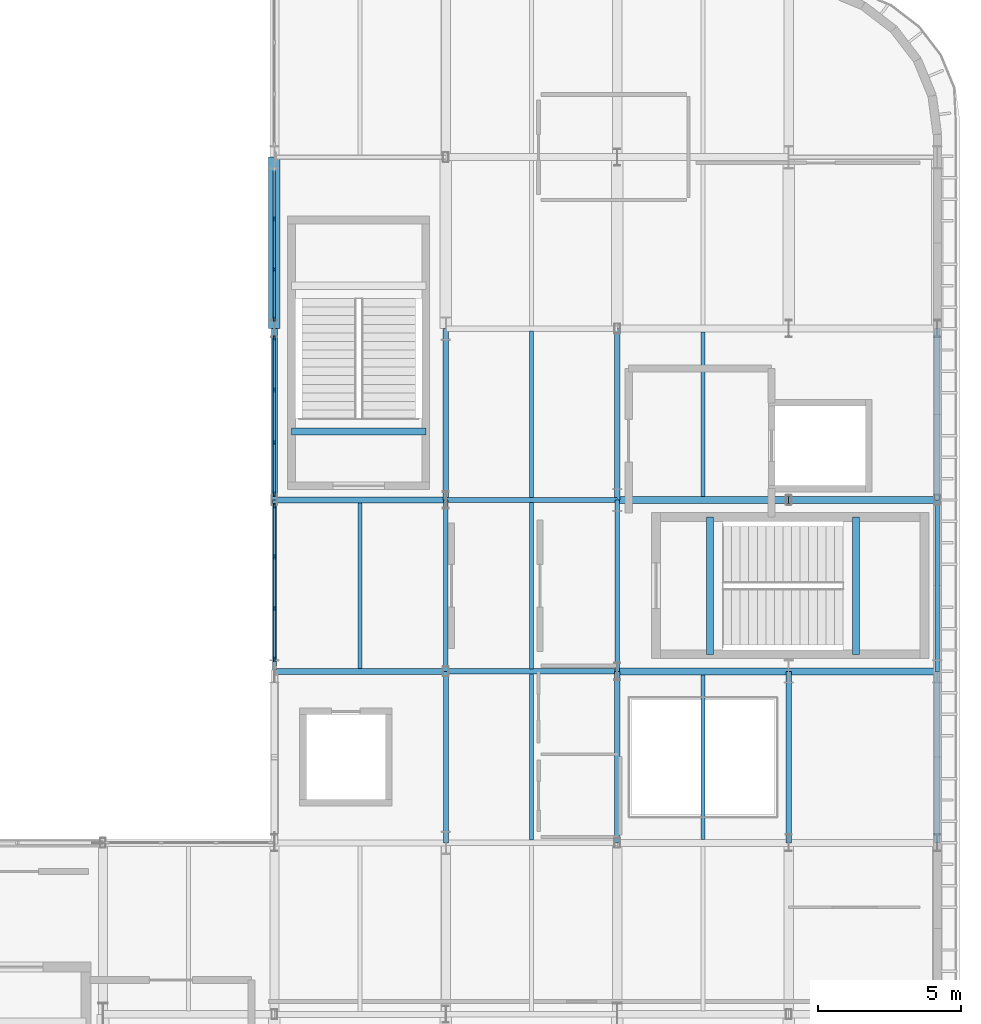
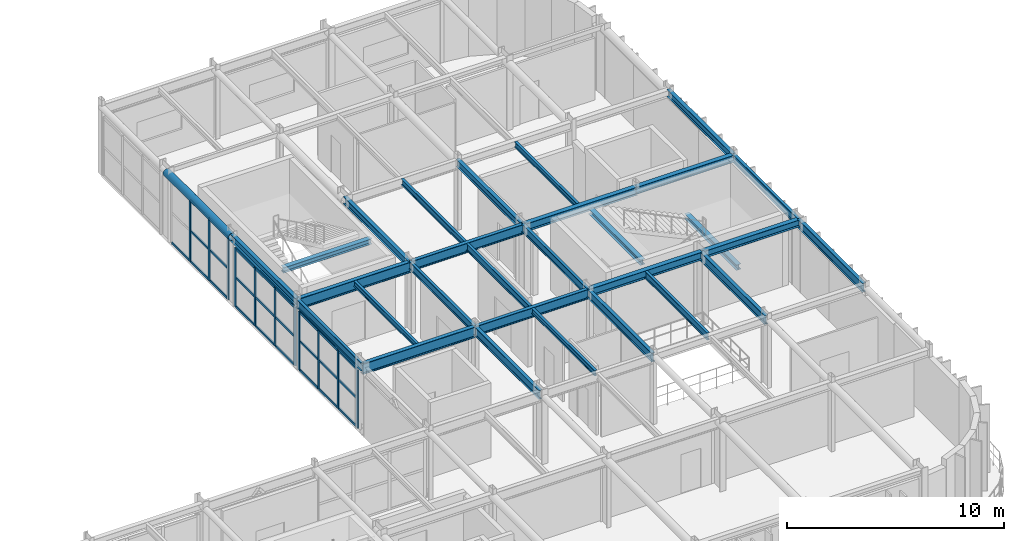
# One storey, part 73 of 116: 36 members, 30 beams, 3 elements without a shape of their own.
"""IFC4 building model written with IfcOpenShell, lengths in metres."""

from ifc_helpers import new_model, si_unit, direction, frame, origin, origin_2d, place, context, subcontext, project, spatial, rectangle, hollow_circle, i_section, extrude, material, material_profile, profile_set, type_object, element, aggregate, save


model = new_model("IFC4")

# Units and contexts
model_context = context("Model", 3, precision=1e-05, world=origin(), true_north=direction((0.0, 1.0)))
body_context = subcontext(model_context, "Body", "Model", "MODEL_VIEW")
ifc_project = project(units=[si_unit("LENGTHUNIT", "METRE"), si_unit("AREAUNIT", "SQUARE_METRE"), si_unit("VOLUMEUNIT", "CUBIC_METRE"), si_unit("PLANEANGLEUNIT", "RADIAN"), si_unit("MASSUNIT", "GRAM", prefix="KILO")], contexts=[model_context])

# Site, building, storey
site_placement = place(None, origin())
site = spatial("IfcSite", under=ifc_project, at=site_placement, CompositionType="ELEMENT")
building_placement = place(site_placement, origin())
building = spatial("IfcBuilding", under=site, at=building_placement, Name="Varnakota Square Police Headquarters", CompositionType="ELEMENT")
storey_placement = place(building_placement, frame((0.0, 0.0, 9.300048828125)))
storey = spatial("IfcBuildingStorey", under=building, at=storey_placement, Name="L02", CompositionType="ELEMENT", Elevation=9.300048828125)

# Beams
ifc_material_1 = material(Name="Steel IS 2062 Grade 350", Category="steel")
ifc_material_profile_1 = material_profile(ifc_material_1, hollow_circle(Radius=0.203125, WallThickness=0.01611328125, at=origin_2d()), Name="CHS 406.4x16.0")
ifc_profile_set_1 = profile_set([ifc_material_profile_1], Name="Steel IS 2062 Grade 350")
beam_type_1 = type_object("IfcBeamType", Name="BM-ARC-CHS406", PredefinedType="BEAM", material=ifc_profile_set_1)
beam_1_placement = place(storey_placement, frame((138.0, 33.0, 3.69677734375), z_axis=(0.0, 1.0, 0.0), x_axis=(-1.0, 0.0, 0.0)))
element("IfcBeam", 1, at=beam_1_placement, inside=storey, type_object=beam_type_1, Name="BMG-L02-2272", PredefinedType="BEAM", context=body_context, shape_type="SweptSolid", body=[
    extrude(hollow_circle(Radius=0.203125, WallThickness=0.01611328125, at=origin_2d()), origin(), (0.0, 0.0, 1.0), 6.0),
])
ifc_material_profile_2 = material_profile(ifc_material_1, i_section(OverallWidth=0.25, OverallDepth=0.300048828125, WebThickness=0.009521484375, FlangeThickness=0.010498046875, FilletRadius=0.011962890625, at=origin_2d()), Name="ISHB 300")
ifc_profile_set_2 = profile_set([ifc_material_profile_2], Name="Steel IS 2062 Grade 350")
beam_type_2 = type_object("IfcBeamType", Name="BM-ISHB300", PredefinedType="BEAM", material=ifc_profile_set_2)
for number, where, z_axis, x_axis, name in (
    (2, (158.3505859375, 21.60009765625, 1.783935546875), (0.0, 1.0, 0.0), (-1.0, 0.0, 0.0), "Stair landing support beam BM-LND-0021"),
    (3, (153.25, 21.60009765625, 3.849853515625), (0.0, 1.0, 0.0), (-1.0, 0.0, 0.0), "Stair landing support beam BM-LND-0022"),
):
    element("IfcBeam", number, at=place(storey_placement, frame(where, z_axis=z_axis, x_axis=x_axis)), inside=storey, type_object=beam_type_2, Name=name, PredefinedType="BEAM", context=body_context, shape_type="SweptSolid", body=[
        extrude(i_section(OverallWidth=0.25, OverallDepth=0.300048828125, WebThickness=0.009521484375, FlangeThickness=0.010498046875, FilletRadius=0.011962890625, at=origin_2d()), origin(), (0.0, 0.0, 1.0), 4.7998046875),
    ])
beam_2_placement = place(storey_placement, frame((138.60009765625, 29.400146484375, 3.849853515625), z_axis=(1.0, 0.0, 0.0), x_axis=(0.0, 1.0, 0.0)))
element("IfcBeam", 4, at=beam_2_placement, inside=storey, type_object=beam_type_2, Name="Stair landing support beam BM-LND-0037", PredefinedType="BEAM", context=body_context, shape_type="SweptSolid", body=[
    extrude(i_section(OverallWidth=0.25, OverallDepth=0.300048828125, WebThickness=0.009521484375, FlangeThickness=0.010498046875, FilletRadius=0.011962890625, at=origin_2d()), origin(), (0.0, 0.0, 1.0), 4.699951171875),
])
ifc_material_profile_3 = material_profile(ifc_material_1, i_section(OverallWidth=0.25, OverallDepth=0.39990234375, WebThickness=0.010498046875, FlangeThickness=0.0126953125, FilletRadius=0.013916015625, at=origin_2d()), Name="ISHB 400")
ifc_profile_set_3 = profile_set([ifc_material_profile_3], Name="Steel IS 2062 Grade 350")
beam_type_3 = type_object("IfcBeamType", Name="BM-ISHB400", PredefinedType="BEAM", material=ifc_profile_set_3)
for number, where, z_axis, x_axis, name in (
    (5, (156.0, 21.0, 3.699951171875), (1.0, 0.0, 0.0), (0.0, 1.0, 0.0), "BMG-L02-1952"),
    (6, (156.0, 27.0, 3.699951171875), (1.0, 0.0, 0.0), (0.0, 1.0, 0.0), "BMG-L02-1962"),
):
    element("IfcBeam", number, at=place(storey_placement, frame(where, z_axis=z_axis, x_axis=x_axis)), inside=storey, type_object=beam_type_3, Name=name, PredefinedType="BEAM", context=body_context, shape_type="SweptSolid", body=[
        extrude(i_section(OverallWidth=0.25, OverallDepth=0.39990234375, WebThickness=0.010498046875, FlangeThickness=0.0126953125, FilletRadius=0.013916015625, at=origin_2d()), origin(), (0.0, 0.0, 1.0), 5.199951171875),
    ])
ifc_material_profile_4 = material_profile(ifc_material_1, i_section(OverallWidth=0.25, OverallDepth=0.449951171875, WebThickness=0.01123046875, FlangeThickness=0.013671875, FilletRadius=0.014892578125, at=origin_2d()), Name="ISHB 450")
ifc_profile_set_4 = profile_set([ifc_material_profile_4], Name="Steel IS 2062 Grade 350")
beam_type_4 = type_object("IfcBeamType", Name="BM-ISHB450", PredefinedType="BEAM", material=ifc_profile_set_4)
for number, where, z_axis, x_axis, name in (
    (7, (150.0, 21.0, 3.675048828125), (1.0, 0.0, 0.0), (0.0, 1.0, 0.0), "BMG-L02-1951"),
    (8, (150.0, 27.0, 3.675048828125), (1.0, 0.0, 0.0), (0.0, 1.0, 0.0), "BMG-L02-1961"),
):
    element("IfcBeam", number, at=place(storey_placement, frame(where, z_axis=z_axis, x_axis=x_axis)), inside=storey, type_object=beam_type_4, Name=name, PredefinedType="BEAM", context=body_context, shape_type="SweptSolid", body=[
        extrude(i_section(OverallWidth=0.25, OverallDepth=0.449951171875, WebThickness=0.01123046875, FlangeThickness=0.013671875, FilletRadius=0.014892578125, at=origin_2d()), origin(), (0.0, 0.0, 1.0), 6.0),
    ])
ifc_material_profile_5 = material_profile(ifc_material_1, i_section(OverallWidth=0.139892578125, OverallDepth=0.300048828125, WebThickness=0.0078125, FlangeThickness=0.01318359375, FilletRadius=0.013916015625, at=origin_2d()), Name="ISMB 300")
ifc_profile_set_5 = profile_set([ifc_material_profile_5], Name="Steel IS 2062 Grade 350")
beam_type_5 = type_object("IfcBeamType", Name="BM-ISMB300", PredefinedType="JOIST", material=ifc_profile_set_5)
beam_3_placement = place(storey_placement, frame((141.0, 21.10302734375, 3.75), z_axis=(0.0, 1.0, 0.0), x_axis=(-1.0, 0.0, 0.0)))
element("IfcBeam", 9, at=beam_3_placement, inside=storey, type_object=beam_type_5, Name="BMG-L02-2402", PredefinedType="JOIST", context=body_context, shape_type="SweptSolid", body=[
    extrude(i_section(OverallWidth=0.139892578125, OverallDepth=0.300048828125, WebThickness=0.0078125, FlangeThickness=0.01318359375, FilletRadius=0.013916015625, at=origin_2d()), origin(), (0.0, 0.0, 1.0), 5.7939453125),
])
beam_4_placement = place(storey_placement, frame((147.0, 15.093017578125, 3.75), z_axis=(0.0, 1.0, 0.0), x_axis=(-1.0, 0.0, 0.0)))
element("IfcBeam", 10, at=beam_4_placement, inside=storey, type_object=beam_type_5, Name="BMG-L02-2411", PredefinedType="JOIST", context=body_context, shape_type="SweptSolid", body=[
    extrude(i_section(OverallWidth=0.139892578125, OverallDepth=0.300048828125, WebThickness=0.0078125, FlangeThickness=0.01318359375, FilletRadius=0.013916015625, at=origin_2d()), origin(), (0.0, 0.0, 1.0), 5.81396484375),
])
beam_5_placement = place(storey_placement, frame((153.0, 27.123046875, 3.75), z_axis=(0.0, 1.0, 0.0), x_axis=(-1.0, 0.0, 0.0)))
element("IfcBeam", 11, at=beam_5_placement, inside=storey, type_object=beam_type_5, Name="BMG-L02-2418", PredefinedType="JOIST", context=body_context, shape_type="SweptSolid", body=[
    extrude(i_section(OverallWidth=0.139892578125, OverallDepth=0.300048828125, WebThickness=0.0078125, FlangeThickness=0.01318359375, FilletRadius=0.013916015625, at=origin_2d()), origin(), (0.0, 0.0, 1.0), 5.75390625),
])
ifc_material_profile_6 = material_profile(ifc_material_1, i_section(OverallWidth=0.139892578125, OverallDepth=0.35009765625, WebThickness=0.008056640625, FlangeThickness=0.01416015625, FilletRadius=0.013916015625, at=origin_2d()), Name="ISMB 350")
ifc_profile_set_6 = profile_set([ifc_material_profile_6], Name="Steel IS 2062 Grade 350")
beam_type_6 = type_object("IfcBeamType", Name="BM-ISMB350", PredefinedType="JOIST", material=ifc_profile_set_6)
beam_6_placement = place(storey_placement, frame((147.0, 27.093017578125, 3.724853515625), z_axis=(0.0, 1.0, 0.0), x_axis=(-1.0, 0.0, 0.0)))
element("IfcBeam", 12, at=beam_6_placement, inside=storey, type_object=beam_type_6, Name="BMG-L02-2413", PredefinedType="JOIST", context=body_context, shape_type="SweptSolid", body=[
    extrude(i_section(OverallWidth=0.139892578125, OverallDepth=0.35009765625, WebThickness=0.008056640625, FlangeThickness=0.01416015625, FilletRadius=0.013916015625, at=origin_2d()), origin(), (0.0, 0.0, 1.0), 5.81396484375),
])
ifc_material_profile_7 = material_profile(ifc_material_1, i_section(OverallWidth=0.139892578125, OverallDepth=0.39990234375, WebThickness=0.0087890625, FlangeThickness=0.01611328125, FilletRadius=0.013916015625, at=origin_2d()), Name="ISMB 400")
ifc_profile_set_7 = profile_set([ifc_material_profile_7], Name="Steel IS 2062 Grade 350")
beam_type_7 = type_object("IfcBeamType", Name="BM-ISMB400", PredefinedType="JOIST", material=ifc_profile_set_7)
beam_7_placement = place(storey_placement, frame((147.0, 21.093017578125, 3.699951171875), z_axis=(0.0, 1.0, 0.0), x_axis=(-1.0, 0.0, 0.0)))
element("IfcBeam", 13, at=beam_7_placement, inside=storey, type_object=beam_type_7, Name="BMG-L02-2412", PredefinedType="JOIST", context=body_context, shape_type="SweptSolid", body=[
    extrude(i_section(OverallWidth=0.139892578125, OverallDepth=0.39990234375, WebThickness=0.0087890625, FlangeThickness=0.01611328125, FilletRadius=0.013916015625, at=origin_2d()), origin(), (0.0, 0.0, 1.0), 5.81396484375),
])
beam_8_placement = place(storey_placement, frame((153.0, 15.123046875, 3.699951171875), z_axis=(0.0, 1.0, 0.0), x_axis=(-1.0, 0.0, 0.0)))
element("IfcBeam", 14, at=beam_8_placement, inside=storey, type_object=beam_type_7, Name="BMG-L02-2417", PredefinedType="JOIST", context=body_context, shape_type="SweptSolid", body=[
    extrude(i_section(OverallWidth=0.139892578125, OverallDepth=0.39990234375, WebThickness=0.0087890625, FlangeThickness=0.01611328125, FilletRadius=0.013916015625, at=origin_2d()), origin(), (0.0, 0.0, 1.0), 5.75390625),
])
ifc_material_profile_8 = material_profile(ifc_material_1, i_section(OverallWidth=0.14990234375, OverallDepth=0.449951171875, WebThickness=0.009521484375, FlangeThickness=0.017333984375, FilletRadius=0.014892578125, at=origin_2d()), Name="ISMB 450")
ifc_profile_set_8 = profile_set([ifc_material_profile_8], Name="Steel IS 2062 Grade 350")
beam_type_8 = type_object("IfcBeamType", Name="BM-ISMB450", PredefinedType="BEAM", material=ifc_profile_set_8)
for number, where, z_axis, x_axis, name in (
    (15, (138.0, 21.0, 3.675048828125), (0.0, 1.0, 0.0), (-1.0, 0.0, 0.0), "BMG-L02-2270"),
    (16, (144.0, 21.0, 3.675048828125), (0.0, 1.0, 0.0), (-1.0, 0.0, 0.0), "BMG-L02-2284"),
    (17, (150.0, 21.0, 3.675048828125), (0.0, 1.0, 0.0), (-1.0, 0.0, 0.0), "BMG-L02-2298"),
    (18, (161.199951171875, 21.0, 3.675048828125), (0.0, 1.0, 0.0), (-1.0, 0.0, 0.0), "BMG-L02-2309"),
):
    element("IfcBeam", number, at=place(storey_placement, frame(where, z_axis=z_axis, x_axis=x_axis)), inside=storey, type_object=beam_type_8, Name=name, PredefinedType="BEAM", context=body_context, shape_type="SweptSolid", body=[
        extrude(i_section(OverallWidth=0.14990234375, OverallDepth=0.449951171875, WebThickness=0.009521484375, FlangeThickness=0.017333984375, FilletRadius=0.014892578125, at=origin_2d()), origin(), (0.0, 0.0, 1.0), 6.0),
    ])
ifc_material_profile_9 = material_profile(ifc_material_1, i_section(OverallWidth=0.179931640625, OverallDepth=0.5, WebThickness=0.01025390625, FlangeThickness=0.01708984375, FilletRadius=0.01708984375, at=origin_2d()), Name="ISMB 500")
ifc_profile_set_9 = profile_set([ifc_material_profile_9], Name="Steel IS 2062 Grade 350")
beam_type_9 = type_object("IfcBeamType", Name="BM-ISMB500", PredefinedType="BEAM", material=ifc_profile_set_9)
for number, where, z_axis, x_axis, name in (
    (19, (144.0, 15.0, 3.64990234375), (0.0, 1.0, 0.0), (-1.0, 0.0, 0.0), "BMG-L02-2283"),
    (20, (150.0, 15.0, 3.64990234375), (0.0, 1.0, 0.0), (-1.0, 0.0, 0.0), "BMG-L02-2297"),
    (21, (156.0, 15.0, 3.64990234375), (0.0, 1.0, 0.0), (-1.0, 0.0, 0.0), "BMG-L02-2304"),
    (22, (161.199951171875, 15.0, 3.64990234375), (0.0, 1.0, 0.0), (-1.0, 0.0, 0.0), "BMG-L02-2308"),
):
    element("IfcBeam", number, at=place(storey_placement, frame(where, z_axis=z_axis, x_axis=x_axis)), inside=storey, type_object=beam_type_9, Name=name, PredefinedType="BEAM", context=body_context, shape_type="SweptSolid", body=[
        extrude(i_section(OverallWidth=0.179931640625, OverallDepth=0.5, WebThickness=0.01025390625, FlangeThickness=0.01708984375, FilletRadius=0.01708984375, at=origin_2d()), origin(), (0.0, 0.0, 1.0), 6.0),
    ])
ifc_material_profile_10 = material_profile(ifc_material_1, i_section(OverallWidth=0.18994140625, OverallDepth=0.550048828125, WebThickness=0.01123046875, FlangeThickness=0.019287109375, FilletRadius=0.01806640625, at=origin_2d()), Name="ISMB 550")
ifc_profile_set_10 = profile_set([ifc_material_profile_10], Name="Steel IS 2062 Grade 350")
beam_type_10 = type_object("IfcBeamType", Name="BM-ISMB550", PredefinedType="BEAM", material=ifc_profile_set_10)
for number, where, z_axis, x_axis, name in (
    (23, (144.0, 21.0, 3.625), (1.0, 0.0, 0.0), (0.0, 1.0, 0.0), "BMG-L02-1950"),
    (24, (144.0, 27.0, 3.625), (1.0, 0.0, 0.0), (0.0, 1.0, 0.0), "BMG-L02-1960"),
):
    element("IfcBeam", number, at=place(storey_placement, frame(where, z_axis=z_axis, x_axis=x_axis)), inside=storey, type_object=beam_type_10, Name=name, PredefinedType="BEAM", context=body_context, shape_type="SweptSolid", body=[
        extrude(i_section(OverallWidth=0.18994140625, OverallDepth=0.550048828125, WebThickness=0.01123046875, FlangeThickness=0.019287109375, FilletRadius=0.01806640625, at=origin_2d()), origin(), (0.0, 0.0, 1.0), 6.0),
    ])
ifc_material_profile_11 = material_profile(ifc_material_1, i_section(OverallWidth=0.2099609375, OverallDepth=0.60009765625, WebThickness=0.011962890625, FlangeThickness=0.020751953125, FilletRadius=0.02001953125, at=origin_2d()), Name="ISMB 600")
ifc_profile_set_11 = profile_set([ifc_material_profile_11], Name="Steel IS 2062 Grade 350")
beam_type_11 = type_object("IfcBeamType", Name="BM-ISMB600", PredefinedType="BEAM", material=ifc_profile_set_11)
for number, where, z_axis, x_axis, name in (
    (25, (138.0, 21.0, 3.599853515625), (1.0, 0.0, 0.0), (0.0, 1.0, 0.0), "BMG-L02-1949"),
    (26, (138.0, 27.0, 3.599853515625), (1.0, 0.0, 0.0), (0.0, 1.0, 0.0), "BMG-L02-1959"),
):
    element("IfcBeam", number, at=place(storey_placement, frame(where, z_axis=z_axis, x_axis=x_axis)), inside=storey, type_object=beam_type_11, Name=name, PredefinedType="BEAM", context=body_context, shape_type="SweptSolid", body=[
        extrude(i_section(OverallWidth=0.2099609375, OverallDepth=0.60009765625, WebThickness=0.011962890625, FlangeThickness=0.020751953125, FilletRadius=0.02001953125, at=origin_2d()), origin(), (0.0, 0.0, 1.0), 6.0),
    ])
ifc_material_profile_12 = material_profile(ifc_material_1, i_section(OverallWidth=0.199951171875, OverallDepth=0.39990234375, WebThickness=0.008544921875, FlangeThickness=0.012939453125, FilletRadius=0.012939453125, at=origin_2d()), Name="ISWB 400")
ifc_profile_set_12 = profile_set([ifc_material_profile_12], Name="Steel IS 2062 Grade 350")
beam_type_12 = type_object("IfcBeamType", Name="BM-ISWB400", PredefinedType="BEAM", material=ifc_profile_set_12)
for number, where, z_axis, x_axis, name in (
    (27, (138.0, 27.0, 3.699951171875), (0.0, 1.0, 0.0), (-1.0, 0.0, 0.0), "BMG-L02-2271"),
    (28, (144.0, 27.0, 3.699951171875), (0.0, 1.0, 0.0), (-1.0, 0.0, 0.0), "BMG-L02-2285"),
    (29, (150.0, 27.0, 3.699951171875), (0.0, 1.0, 0.0), (-1.0, 0.0, 0.0), "BMG-L02-2299"),
    (30, (161.199951171875, 27.0, 3.699951171875), (0.0, 1.0, 0.0), (-1.0, 0.0, 0.0), "BMG-L02-2310"),
):
    element("IfcBeam", number, at=place(storey_placement, frame(where, z_axis=z_axis, x_axis=x_axis)), inside=storey, type_object=beam_type_12, Name=name, PredefinedType="BEAM", context=body_context, shape_type="SweptSolid", body=[
        extrude(i_section(OverallWidth=0.199951171875, OverallDepth=0.39990234375, WebThickness=0.008544921875, FlangeThickness=0.012939453125, FilletRadius=0.012939453125, at=origin_2d()), origin(), (0.0, 0.0, 1.0), 6.0),
    ])

# Curtain wall, members
ifc_material_2 = material(Name="Anodised Aluminium Framing", Category="aluminium")
curtain_wall_type = type_object("IfcCurtainWallType", Name="CW-SYS-E", PredefinedType="NOTDEFINED", material=ifc_material_2)
curtain_wall_1_placement = place(storey_placement, origin())
curtain_wall_1 = element("IfcCurtainWall", 31, at=curtain_wall_1_placement, inside=storey, type_object=curtain_wall_type, Name="Unitised curtain wall CWG-L02-073", PredefinedType="NOTDEFINED")
ifc_material_3 = material(Name="Anodised Aluminium 6063-T6", Category="aluminium")
ifc_material_profile_13 = material_profile(ifc_material_3, rectangle(XDim=0.06494140625, YDim=0.159912109375, at=origin_2d()), Name="ALU MULLION 65x160")
ifc_profile_set_13 = profile_set([ifc_material_profile_13], Name="Anodised Aluminium 6063-T6")
member_type_1 = type_object("IfcMemberType", Name="CWM-150", PredefinedType="MULLION", material=ifc_profile_set_13)
member_1_placement = place(storey_placement, frame((138.0, 21.4375, 0.0), z_axis=(0.0, 0.0, 1.0), x_axis=(-1.0, 0.0, 0.0)))
member_1 = element("IfcMember", 32, at=member_1_placement, type_object=member_type_1, Name="CWG-L02-073 mullion 1", PredefinedType="MULLION", context=body_context, shape_type="SweptSolid", body=[
    extrude(rectangle(XDim=0.06494140625, YDim=0.159912109375, at=origin_2d()), origin(), (0.0, 0.0, 1.0), 3.2900390625),
])
member_2_placement = place(storey_placement, frame((138.0, 23.2099609375, 0.0), z_axis=(0.0, 0.0, 1.0), x_axis=(-1.0, 0.0, 0.0)))
member_2 = element("IfcMember", 33, at=member_2_placement, type_object=member_type_1, Name="CWG-L02-073 mullion 2", PredefinedType="MULLION", context=body_context, shape_type="SweptSolid", body=[
    extrude(rectangle(XDim=0.06494140625, YDim=0.159912109375, at=origin_2d()), origin(), (0.0, 0.0, 1.0), 3.2900390625),
])
member_3_placement = place(storey_placement, frame((138.0, 25.014892578125, 0.0), z_axis=(0.0, 0.0, 1.0), x_axis=(-1.0, 0.0, 0.0)))
member_3 = element("IfcMember", 34, at=member_3_placement, type_object=member_type_1, Name="CWG-L02-073 mullion 3", PredefinedType="MULLION", context=body_context, shape_type="SweptSolid", body=[
    extrude(rectangle(XDim=0.06494140625, YDim=0.159912109375, at=origin_2d()), origin(), (0.0, 0.0, 1.0), 3.2900390625),
])
member_4_placement = place(storey_placement, frame((138.0, 26.78759765625, 0.0), z_axis=(0.0, 0.0, 1.0), x_axis=(-1.0, 0.0, 0.0)))
member_4 = element("IfcMember", 35, at=member_4_placement, type_object=member_type_1, Name="CWG-L02-073 mullion 4", PredefinedType="MULLION", context=body_context, shape_type="SweptSolid", body=[
    extrude(rectangle(XDim=0.06494140625, YDim=0.159912109375, at=origin_2d()), origin(), (0.0, 0.0, 1.0), 3.2900390625),
])

curtain_wall_2_placement = place(storey_placement, origin())
curtain_wall_2 = element("IfcCurtainWall", 36, at=curtain_wall_2_placement, inside=storey, type_object=curtain_wall_type, Name="Unitised curtain wall CWG-L02-074", PredefinedType="NOTDEFINED")
member_5_placement = place(storey_placement, frame((138.0, 27.21240234375, 0.0), z_axis=(0.0, 0.0, 1.0), x_axis=(-1.0, 0.0, 0.0)))
member_5 = element("IfcMember", 37, at=member_5_placement, type_object=member_type_1, Name="CWG-L02-074 mullion 1", PredefinedType="MULLION", context=body_context, shape_type="SweptSolid", body=[
    extrude(rectangle(XDim=0.06494140625, YDim=0.159912109375, at=origin_2d()), origin(), (0.0, 0.0, 1.0), 3.2900390625),
])
member_6_placement = place(storey_placement, frame((138.0, 29.018310546875, 0.0), z_axis=(0.0, 0.0, 1.0), x_axis=(-1.0, 0.0, 0.0)))
member_6 = element("IfcMember", 38, at=member_6_placement, type_object=member_type_1, Name="CWG-L02-074 mullion 2", PredefinedType="MULLION", context=body_context, shape_type="SweptSolid", body=[
    extrude(rectangle(XDim=0.06494140625, YDim=0.159912109375, at=origin_2d()), origin(), (0.0, 0.0, 1.0), 3.2900390625),
])
member_7_placement = place(storey_placement, frame((138.0, 30.856689453125, 0.0), z_axis=(0.0, 0.0, 1.0), x_axis=(-1.0, 0.0, 0.0)))
member_7 = element("IfcMember", 39, at=member_7_placement, type_object=member_type_1, Name="CWG-L02-074 mullion 3", PredefinedType="MULLION", context=body_context, shape_type="SweptSolid", body=[
    extrude(rectangle(XDim=0.06494140625, YDim=0.159912109375, at=origin_2d()), origin(), (0.0, 0.0, 1.0), 3.2900390625),
])
member_8_placement = place(storey_placement, frame((138.0, 32.66259765625, 0.0), z_axis=(0.0, 0.0, 1.0), x_axis=(-1.0, 0.0, 0.0)))
member_8 = element("IfcMember", 40, at=member_8_placement, type_object=member_type_1, Name="CWG-L02-074 mullion 4", PredefinedType="MULLION", context=body_context, shape_type="SweptSolid", body=[
    extrude(rectangle(XDim=0.06494140625, YDim=0.159912109375, at=origin_2d()), origin(), (0.0, 0.0, 1.0), 3.2900390625),
])

curtain_wall_3_placement = place(storey_placement, origin())
curtain_wall_3 = element("IfcCurtainWall", 41, at=curtain_wall_3_placement, inside=storey, type_object=curtain_wall_type, Name="Unitised curtain wall CWG-L02-075", PredefinedType="NOTDEFINED")
member_9_placement = place(storey_placement, frame((138.0, 33.33740234375, 0.0), z_axis=(0.0, 0.0, 1.0), x_axis=(-1.0, 0.0, 0.0)))
member_9 = element("IfcMember", 42, at=member_9_placement, type_object=member_type_1, Name="CWG-L02-075 mullion 1", PredefinedType="MULLION", context=body_context, shape_type="SweptSolid", body=[
    extrude(rectangle(XDim=0.06494140625, YDim=0.159912109375, at=origin_2d()), origin(), (0.0, 0.0, 1.0), 3.483642578125),
])
member_10_placement = place(storey_placement, frame((138.0, 35.068359375, 0.0), z_axis=(0.0, 0.0, 1.0), x_axis=(-1.0, 0.0, 0.0)))
member_10 = element("IfcMember", 43, at=member_10_placement, type_object=member_type_1, Name="CWG-L02-075 mullion 2", PredefinedType="MULLION", context=body_context, shape_type="SweptSolid", body=[
    extrude(rectangle(XDim=0.06494140625, YDim=0.159912109375, at=origin_2d()), origin(), (0.0, 0.0, 1.0), 3.483642578125),
])
member_11_placement = place(storey_placement, frame((138.0, 36.831787109375, 0.0), z_axis=(0.0, 0.0, 1.0), x_axis=(-1.0, 0.0, 0.0)))
member_11 = element("IfcMember", 44, at=member_11_placement, type_object=member_type_1, Name="CWG-L02-075 mullion 3", PredefinedType="MULLION", context=body_context, shape_type="SweptSolid", body=[
    extrude(rectangle(XDim=0.06494140625, YDim=0.159912109375, at=origin_2d()), origin(), (0.0, 0.0, 1.0), 3.483642578125),
])

# Member
ifc_material_profile_14 = material_profile(ifc_material_3, rectangle(XDim=0.06494140625, YDim=0.1298828125, at=origin_2d()), Name="ALU TRANSOM 65x130")
ifc_profile_set_14 = profile_set([ifc_material_profile_14], Name="Anodised Aluminium 6063-T6")
member_type_2 = type_object("IfcMemberType", Name="CWT-120", PredefinedType="USERDEFINED", material=ifc_profile_set_14)
member_12_placement = place(storey_placement, frame((138.0, 21.469970703125, 0.032470703125), z_axis=(0.0, 1.0, 0.0), x_axis=(-1.0, 0.0, 0.0)))
member_12 = element("IfcMember", 45, at=member_12_placement, type_object=member_type_2, Name="CWG-L02-073 transom 1.1", ObjectType="TRANSOM", PredefinedType="USERDEFINED", context=body_context, shape_type="SweptSolid", body=[
    extrude(rectangle(XDim=0.06494140625, YDim=0.1298828125, at=origin_2d()), origin(), (0.0, 0.0, 1.0), 1.70751953125),
])

member_13_placement = place(storey_placement, frame((138.0, 21.469970703125, 1.64501953125), z_axis=(0.0, 1.0, 0.0), x_axis=(-1.0, 0.0, 0.0)))
member_13 = element("IfcMember", 46, at=member_13_placement, type_object=member_type_2, Name="CWG-L02-073 transom 1.2", ObjectType="TRANSOM", PredefinedType="USERDEFINED", context=body_context, shape_type="SweptSolid", body=[
    extrude(rectangle(XDim=0.06494140625, YDim=0.1298828125, at=origin_2d()), origin(), (0.0, 0.0, 1.0), 1.70751953125),
])

member_14_placement = place(storey_placement, frame((138.0, 21.469970703125, 3.257568359375), z_axis=(0.0, 1.0, 0.0), x_axis=(-1.0, 0.0, 0.0)))
member_14 = element("IfcMember", 47, at=member_14_placement, type_object=member_type_2, Name="CWG-L02-073 transom 1.3", ObjectType="TRANSOM", PredefinedType="USERDEFINED", context=body_context, shape_type="SweptSolid", body=[
    extrude(rectangle(XDim=0.06494140625, YDim=0.1298828125, at=origin_2d()), origin(), (0.0, 0.0, 1.0), 1.70751953125),
])

member_15_placement = place(storey_placement, frame((138.0, 23.242431640625, 0.032470703125), z_axis=(0.0, 1.0, 0.0), x_axis=(-1.0, 0.0, 0.0)))
member_15 = element("IfcMember", 48, at=member_15_placement, type_object=member_type_2, Name="CWG-L02-073 transom 2.1", ObjectType="TRANSOM", PredefinedType="USERDEFINED", context=body_context, shape_type="SweptSolid", body=[
    extrude(rectangle(XDim=0.06494140625, YDim=0.1298828125, at=origin_2d()), origin(), (0.0, 0.0, 1.0), 1.739990234375),
])

member_16_placement = place(storey_placement, frame((138.0, 23.242431640625, 1.64501953125), z_axis=(0.0, 1.0, 0.0), x_axis=(-1.0, 0.0, 0.0)))
member_16 = element("IfcMember", 49, at=member_16_placement, type_object=member_type_2, Name="CWG-L02-073 transom 2.2", ObjectType="TRANSOM", PredefinedType="USERDEFINED", context=body_context, shape_type="SweptSolid", body=[
    extrude(rectangle(XDim=0.06494140625, YDim=0.1298828125, at=origin_2d()), origin(), (0.0, 0.0, 1.0), 1.739990234375),
])

member_17_placement = place(storey_placement, frame((138.0, 23.242431640625, 3.257568359375), z_axis=(0.0, 1.0, 0.0), x_axis=(-1.0, 0.0, 0.0)))
member_17 = element("IfcMember", 50, at=member_17_placement, type_object=member_type_2, Name="CWG-L02-073 transom 2.3", ObjectType="TRANSOM", PredefinedType="USERDEFINED", context=body_context, shape_type="SweptSolid", body=[
    extrude(rectangle(XDim=0.06494140625, YDim=0.1298828125, at=origin_2d()), origin(), (0.0, 0.0, 1.0), 1.739990234375),
])

member_18_placement = place(storey_placement, frame((138.0, 25.047607421875, 0.032470703125), z_axis=(0.0, 1.0, 0.0), x_axis=(-1.0, 0.0, 0.0)))
member_18 = element("IfcMember", 51, at=member_18_placement, type_object=member_type_2, Name="CWG-L02-073 transom 3.1", ObjectType="TRANSOM", PredefinedType="USERDEFINED", context=body_context, shape_type="SweptSolid", body=[
    extrude(rectangle(XDim=0.06494140625, YDim=0.1298828125, at=origin_2d()), origin(), (0.0, 0.0, 1.0), 1.707275390625),
])

member_19_placement = place(storey_placement, frame((138.0, 25.047607421875, 1.64501953125), z_axis=(0.0, 1.0, 0.0), x_axis=(-1.0, 0.0, 0.0)))
member_19 = element("IfcMember", 52, at=member_19_placement, type_object=member_type_2, Name="CWG-L02-073 transom 3.2", ObjectType="TRANSOM", PredefinedType="USERDEFINED", context=body_context, shape_type="SweptSolid", body=[
    extrude(rectangle(XDim=0.06494140625, YDim=0.1298828125, at=origin_2d()), origin(), (0.0, 0.0, 1.0), 1.707275390625),
])

member_20_placement = place(storey_placement, frame((138.0, 25.047607421875, 3.257568359375), z_axis=(0.0, 1.0, 0.0), x_axis=(-1.0, 0.0, 0.0)))
member_20 = element("IfcMember", 53, at=member_20_placement, type_object=member_type_2, Name="CWG-L02-073 transom 3.3", ObjectType="TRANSOM", PredefinedType="USERDEFINED", context=body_context, shape_type="SweptSolid", body=[
    extrude(rectangle(XDim=0.06494140625, YDim=0.1298828125, at=origin_2d()), origin(), (0.0, 0.0, 1.0), 1.707275390625),
])

aggregate(curtain_wall_1, [member_1, member_2, member_3, member_4, member_12, member_13, member_14, member_15, member_16, member_17, member_18, member_19, member_20])

member_21_placement = place(storey_placement, frame((138.0, 27.2451171875, 0.032470703125), z_axis=(0.0, 1.0, 0.0), x_axis=(-1.0, 0.0, 0.0)))
member_21 = element("IfcMember", 54, at=member_21_placement, type_object=member_type_2, Name="CWG-L02-074 transom 1.1", ObjectType="TRANSOM", PredefinedType="USERDEFINED", context=body_context, shape_type="SweptSolid", body=[
    extrude(rectangle(XDim=0.06494140625, YDim=0.1298828125, at=origin_2d()), origin(), (0.0, 0.0, 1.0), 1.74072265625),
])

member_22_placement = place(storey_placement, frame((138.0, 27.2451171875, 1.64501953125), z_axis=(0.0, 1.0, 0.0), x_axis=(-1.0, 0.0, 0.0)))
member_22 = element("IfcMember", 55, at=member_22_placement, type_object=member_type_2, Name="CWG-L02-074 transom 1.2", ObjectType="TRANSOM", PredefinedType="USERDEFINED", context=body_context, shape_type="SweptSolid", body=[
    extrude(rectangle(XDim=0.06494140625, YDim=0.1298828125, at=origin_2d()), origin(), (0.0, 0.0, 1.0), 1.74072265625),
])

member_23_placement = place(storey_placement, frame((138.0, 27.2451171875, 3.257568359375), z_axis=(0.0, 1.0, 0.0), x_axis=(-1.0, 0.0, 0.0)))
member_23 = element("IfcMember", 56, at=member_23_placement, type_object=member_type_2, Name="CWG-L02-074 transom 1.3", ObjectType="TRANSOM", PredefinedType="USERDEFINED", context=body_context, shape_type="SweptSolid", body=[
    extrude(rectangle(XDim=0.06494140625, YDim=0.1298828125, at=origin_2d()), origin(), (0.0, 0.0, 1.0), 1.74072265625),
])

member_24_placement = place(storey_placement, frame((138.0, 29.05078125, 0.032470703125), z_axis=(0.0, 1.0, 0.0), x_axis=(-1.0, 0.0, 0.0)))
member_24 = element("IfcMember", 57, at=member_24_placement, type_object=member_type_2, Name="CWG-L02-074 transom 2.1", ObjectType="TRANSOM", PredefinedType="USERDEFINED", context=body_context, shape_type="SweptSolid", body=[
    extrude(rectangle(XDim=0.06494140625, YDim=0.1298828125, at=origin_2d()), origin(), (0.0, 0.0, 1.0), 1.7734375),
])

member_25_placement = place(storey_placement, frame((138.0, 29.05078125, 1.64501953125), z_axis=(0.0, 1.0, 0.0), x_axis=(-1.0, 0.0, 0.0)))
member_25 = element("IfcMember", 58, at=member_25_placement, type_object=member_type_2, Name="CWG-L02-074 transom 2.2", ObjectType="TRANSOM", PredefinedType="USERDEFINED", context=body_context, shape_type="SweptSolid", body=[
    extrude(rectangle(XDim=0.06494140625, YDim=0.1298828125, at=origin_2d()), origin(), (0.0, 0.0, 1.0), 1.7734375),
])

member_26_placement = place(storey_placement, frame((138.0, 29.05078125, 3.257568359375), z_axis=(0.0, 1.0, 0.0), x_axis=(-1.0, 0.0, 0.0)))
member_26 = element("IfcMember", 59, at=member_26_placement, type_object=member_type_2, Name="CWG-L02-074 transom 2.3", ObjectType="TRANSOM", PredefinedType="USERDEFINED", context=body_context, shape_type="SweptSolid", body=[
    extrude(rectangle(XDim=0.06494140625, YDim=0.1298828125, at=origin_2d()), origin(), (0.0, 0.0, 1.0), 1.7734375),
])

member_27_placement = place(storey_placement, frame((138.0, 30.88916015625, 0.032470703125), z_axis=(0.0, 1.0, 0.0), x_axis=(-1.0, 0.0, 0.0)))
member_27 = element("IfcMember", 60, at=member_27_placement, type_object=member_type_2, Name="CWG-L02-074 transom 3.1", ObjectType="TRANSOM", PredefinedType="USERDEFINED", context=body_context, shape_type="SweptSolid", body=[
    extrude(rectangle(XDim=0.06494140625, YDim=0.1298828125, at=origin_2d()), origin(), (0.0, 0.0, 1.0), 1.74072265625),
])

member_28_placement = place(storey_placement, frame((138.0, 30.88916015625, 1.64501953125), z_axis=(0.0, 1.0, 0.0), x_axis=(-1.0, 0.0, 0.0)))
member_28 = element("IfcMember", 61, at=member_28_placement, type_object=member_type_2, Name="CWG-L02-074 transom 3.2", ObjectType="TRANSOM", PredefinedType="USERDEFINED", context=body_context, shape_type="SweptSolid", body=[
    extrude(rectangle(XDim=0.06494140625, YDim=0.1298828125, at=origin_2d()), origin(), (0.0, 0.0, 1.0), 1.74072265625),
])

member_29_placement = place(storey_placement, frame((138.0, 30.88916015625, 3.257568359375), z_axis=(0.0, 1.0, 0.0), x_axis=(-1.0, 0.0, 0.0)))
member_29 = element("IfcMember", 62, at=member_29_placement, type_object=member_type_2, Name="CWG-L02-074 transom 3.3", ObjectType="TRANSOM", PredefinedType="USERDEFINED", context=body_context, shape_type="SweptSolid", body=[
    extrude(rectangle(XDim=0.06494140625, YDim=0.1298828125, at=origin_2d()), origin(), (0.0, 0.0, 1.0), 1.74072265625),
])

aggregate(curtain_wall_2, [member_5, member_6, member_7, member_8, member_21, member_22, member_23, member_24, member_25, member_26, member_27, member_28, member_29])

member_30_placement = place(storey_placement, frame((138.0, 33.3701171875, 0.032470703125), z_axis=(0.0, 1.0, 0.0), x_axis=(-1.0, 0.0, 0.0)))
member_30 = element("IfcMember", 63, at=member_30_placement, type_object=member_type_2, Name="CWG-L02-075 transom 1.1", ObjectType="TRANSOM", PredefinedType="USERDEFINED", context=body_context, shape_type="SweptSolid", body=[
    extrude(rectangle(XDim=0.06494140625, YDim=0.1298828125, at=origin_2d()), origin(), (0.0, 0.0, 1.0), 1.665771484375),
])

member_31_placement = place(storey_placement, frame((138.0, 33.3701171875, 1.74169921875), z_axis=(0.0, 1.0, 0.0), x_axis=(-1.0, 0.0, 0.0)))
member_31 = element("IfcMember", 64, at=member_31_placement, type_object=member_type_2, Name="CWG-L02-075 transom 1.2", ObjectType="TRANSOM", PredefinedType="USERDEFINED", context=body_context, shape_type="SweptSolid", body=[
    extrude(rectangle(XDim=0.06494140625, YDim=0.1298828125, at=origin_2d()), origin(), (0.0, 0.0, 1.0), 1.665771484375),
])

member_32_placement = place(storey_placement, frame((138.0, 33.3701171875, 3.451171875), z_axis=(0.0, 1.0, 0.0), x_axis=(-1.0, 0.0, 0.0)))
member_32 = element("IfcMember", 65, at=member_32_placement, type_object=member_type_2, Name="CWG-L02-075 transom 1.3", ObjectType="TRANSOM", PredefinedType="USERDEFINED", context=body_context, shape_type="SweptSolid", body=[
    extrude(rectangle(XDim=0.06494140625, YDim=0.1298828125, at=origin_2d()), origin(), (0.0, 0.0, 1.0), 1.665771484375),
])

member_33_placement = place(storey_placement, frame((138.0, 35.100830078125, 0.032470703125), z_axis=(0.0, 1.0, 0.0), x_axis=(-1.0, 0.0, 0.0)))
member_33 = element("IfcMember", 66, at=member_33_placement, type_object=member_type_2, Name="CWG-L02-075 transom 2.1", ObjectType="TRANSOM", PredefinedType="USERDEFINED", context=body_context, shape_type="SweptSolid", body=[
    extrude(rectangle(XDim=0.06494140625, YDim=0.1298828125, at=origin_2d()), origin(), (0.0, 0.0, 1.0), 1.6982421875),
])

member_34_placement = place(storey_placement, frame((138.0, 35.100830078125, 1.74169921875), z_axis=(0.0, 1.0, 0.0), x_axis=(-1.0, 0.0, 0.0)))
member_34 = element("IfcMember", 67, at=member_34_placement, type_object=member_type_2, Name="CWG-L02-075 transom 2.2", ObjectType="TRANSOM", PredefinedType="USERDEFINED", context=body_context, shape_type="SweptSolid", body=[
    extrude(rectangle(XDim=0.06494140625, YDim=0.1298828125, at=origin_2d()), origin(), (0.0, 0.0, 1.0), 1.6982421875),
])

member_35_placement = place(storey_placement, frame((138.0, 35.100830078125, 3.451171875), z_axis=(0.0, 1.0, 0.0), x_axis=(-1.0, 0.0, 0.0)))
member_35 = element("IfcMember", 68, at=member_35_placement, type_object=member_type_2, Name="CWG-L02-075 transom 2.3", ObjectType="TRANSOM", PredefinedType="USERDEFINED", context=body_context, shape_type="SweptSolid", body=[
    extrude(rectangle(XDim=0.06494140625, YDim=0.1298828125, at=origin_2d()), origin(), (0.0, 0.0, 1.0), 1.6982421875),
])

member_36_placement = place(storey_placement, frame((138.0, 36.8642578125, 0.032470703125), z_axis=(0.0, 1.0, 0.0), x_axis=(-1.0, 0.0, 0.0)))
member_36 = element("IfcMember", 69, at=member_36_placement, type_object=member_type_2, Name="CWG-L02-075 transom 3.1", ObjectType="TRANSOM", PredefinedType="USERDEFINED", context=body_context, shape_type="SweptSolid", body=[
    extrude(rectangle(XDim=0.06494140625, YDim=0.1298828125, at=origin_2d()), origin(), (0.0, 0.0, 1.0), 1.665771484375),
])

aggregate(curtain_wall_3, [member_9, member_10, member_11, member_30, member_31, member_32, member_33, member_34, member_35, member_36])

save(model, "model.ifc")
